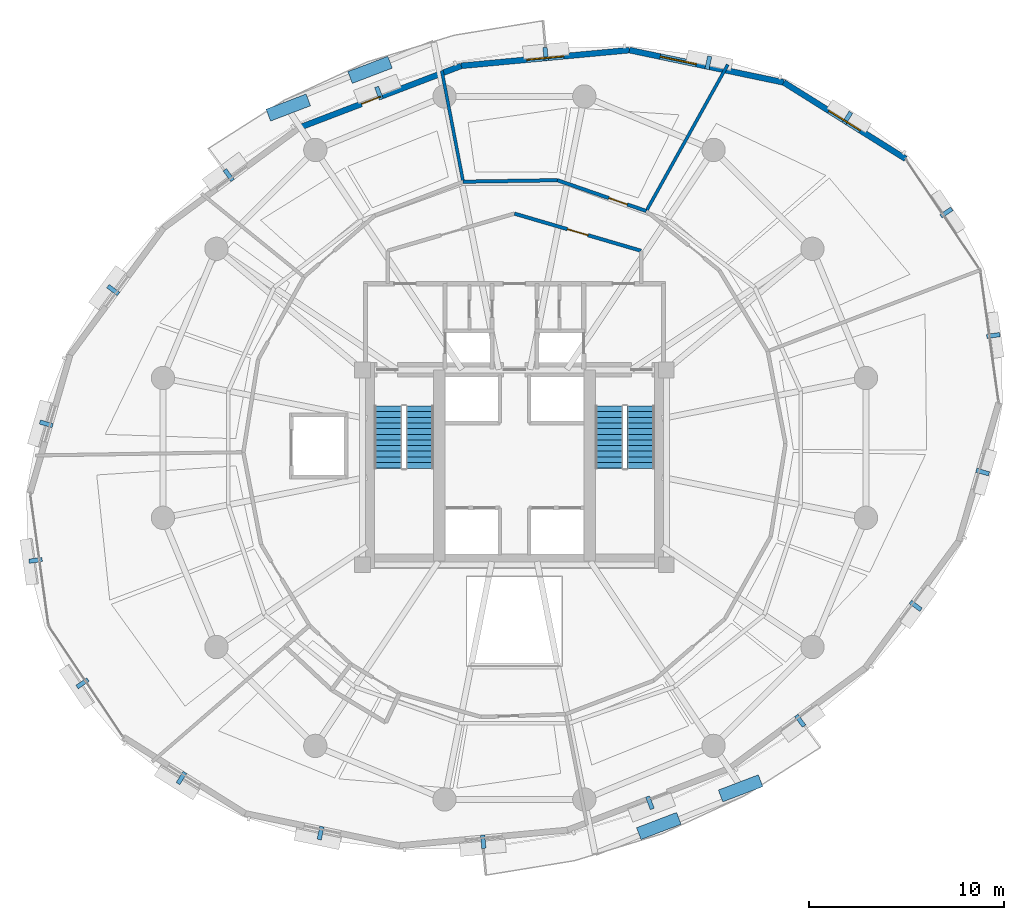
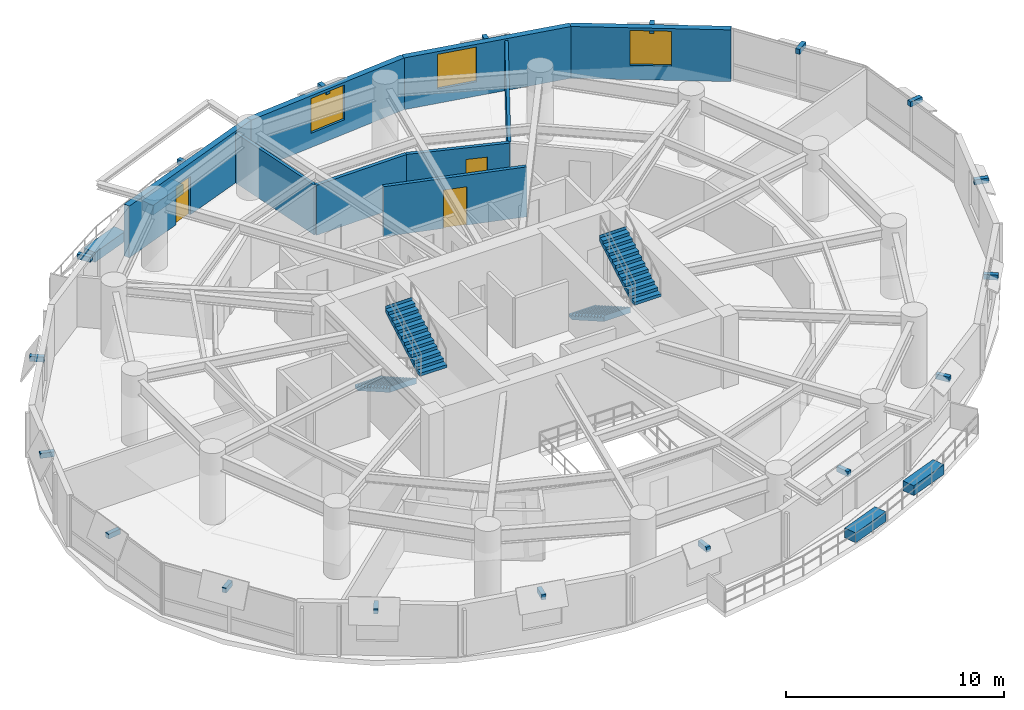
# One storey, part 12 of 15: 22 discrete accessories, 9 walls, 4 stair flights, 3 doors, 3 windows, 6 openings, 2 elements without a shape of their own.
"""IFC4 building model written with IfcOpenShell, lengths in metres."""

from ifc_helpers import new_model, si_unit, direction, frame, frame_2d, origin, origin_2d, place, context, subcontext, project, spatial, polyline, rectangle, outline, extrude, material, layer, layer_set, type_object, element, fill, aggregate, save


model = new_model("IFC4")

# Units and contexts
model_context = context("Model", 3, precision=1e-05, world=origin(), true_north=direction((0.0, 1.0)))
body_context = subcontext(model_context, "Body", "Model", "MODEL_VIEW")
ifc_project = project(units=[si_unit("LENGTHUNIT", "METRE"), si_unit("AREAUNIT", "SQUARE_METRE"), si_unit("VOLUMEUNIT", "CUBIC_METRE"), si_unit("PLANEANGLEUNIT", "RADIAN"), si_unit("MASSUNIT", "GRAM", prefix="KILO"), si_unit("THERMODYNAMICTEMPERATUREUNIT", "KELVIN"), si_unit("POWERUNIT", "WATT")], contexts=[model_context])

# Site, building, storey
site_placement = place(None, origin())
site = spatial("IfcSite", under=ifc_project, at=site_placement, CompositionType="ELEMENT")
building_placement = place(site_placement, origin())
building = spatial("IfcBuilding", under=site, at=building_placement, Name="Ocrelia Relay Tower", CompositionType="ELEMENT")
storey_placement = place(building_placement, frame((0.0, 0.0, 121.800048828125)))
storey = spatial("IfcBuildingStorey", under=building, at=storey_placement, Name="L28", CompositionType="ELEMENT", Elevation=121.800048828125)

# Wall, opening, door
ifc_material_1 = material(Name="Gypsum Fireboard Partition EI60", Category="gypsum")
ifc_layer_1 = layer(ifc_material_1, 0.179931640625, Name="Gypsum Fireboard Partition EI60")
ifc_layer_set_1 = layer_set([ifc_layer_1], Name="Gypsum Fireboard Partition EI60")
wall_type_1 = type_object("IfcWallType", Name="W-CORR-EI60-180", PredefinedType="PARTITIONING", material=ifc_layer_set_1)
wall_1_placement = place(storey_placement, frame((34.0, 38.030029296875, 0.0), z_axis=(0.0, 0.0, 1.0), x_axis=(0.959546654541, -0.281549671923, 0.0)))
wall_1 = element("IfcWall", 1, at=wall_1_placement, inside=storey, type_object=wall_type_1, Name="L28 North Smoke Lobby E Screen Wall", PredefinedType="PARTITIONING", context=body_context, shape_type="SweptSolid", body=[
    extrude(rectangle(XDim=6.77392578125, YDim=0.179931640625, at=frame_2d((3.386962890625, 0.0))), origin(), (0.0, 0.0, 1.0), 2.800048828125),
])
opening_1_placement = place(wall_1_placement, frame((2.8369140625, 0.0, 0.0)))
opening_1 = element("IfcOpeningElement", 2, at=opening_1_placement, cuts=wall_1, Name="Opening D-FD60", PredefinedType="OPENING", context=body_context, shape_type="SweptSolid", body=[
    extrude(rectangle(XDim=1.10009765625, YDim=2.14990234375, at=frame_2d((0.550048828125, 1.074951171875))), frame((0.0, 0.10009765625, 0.0), z_axis=(0.0, -1.0, 0.0), x_axis=(1.0, 0.0, 0.0)), (0.0, 0.0, 1.0), 0.199951171875),
])
ifc_material_2 = material(Name="Timber-core 60-min acoustic fire door", Category="wood")
door_type_1 = type_object("IfcDoorType", Name="DR-LOBBY-FD60-1100", OperationType="NOTDEFINED", PredefinedType="DOOR", material=ifc_material_2)
door_1_placement = place(opening_1_placement, origin())
door_1 = element("IfcDoor", 3, at=door_1_placement, inside=storey, type_object=door_type_1, Name="L28 North Smoke Lobby E Fire Door", OperationType="SINGLE_SWING_LEFT", OverallHeight=2.14990234375, OverallWidth=1.10009765625, PredefinedType="DOOR", context=body_context, shape_type="SweptSolid", body=[
    extrude(rectangle(XDim=1.10009765625, YDim=2.14990234375, at=frame_2d((0.550048828125, 1.074951171875))), frame((0.0, 0.02490234375, 0.0), z_axis=(0.0, -1.0, 0.0), x_axis=(1.0, 0.0, 0.0)), (0.0, 0.0, 1.0), 0.050048828125),
])
fill(opening_1, door_1)

wall_2_placement = place(storey_placement, frame((40.769775390625, 38.162841796875, 0.0), z_axis=(0.0, 0.0, 1.0), x_axis=(-0.944937429252, 0.32725105775, 0.0)))
wall_2 = element("IfcWall", 4, at=wall_2_placement, inside=storey, type_object=wall_type_1, Name="L28 Acoustic Media Room Corridor Partition 1", PredefinedType="PARTITIONING", context=body_context, shape_type="SweptSolid", body=[
    extrude(rectangle(XDim=4.834228515625, YDim=0.179931640625, at=frame_2d((2.4169921875, 0.0))), origin(), (0.0, 0.0, 1.0), 2.800048828125),
])
opening_2_placement = place(wall_2_placement, frame((1.03369140625, 0.0, 0.0)))
opening_2 = element("IfcOpeningElement", 5, at=opening_2_placement, cuts=wall_2, Name="Opening D-RM100", PredefinedType="OPENING", context=body_context, shape_type="SweptSolid", body=[
    extrude(rectangle(XDim=1.0, YDim=2.14990234375, at=frame_2d((0.5, 1.074951171875))), frame((0.0, 0.10009765625, 0.0), z_axis=(0.0, -1.0, 0.0), x_axis=(1.0, 0.0, 0.0)), (0.0, 0.0, 1.0), 0.199951171875),
])
ifc_material_3 = material(Name="Acoustic oak veneer fire door", Category="wood")
door_type_2 = type_object("IfcDoorType", Name="DR-ROOM-FD60-1000", OperationType="NOTDEFINED", PredefinedType="DOOR", material=ifc_material_3)
door_2_placement = place(opening_2_placement, origin())
door_2 = element("IfcDoor", 6, at=door_2_placement, inside=storey, type_object=door_type_2, Name="L28 Acoustic Media Room Entrance Door", OperationType="SINGLE_SWING_LEFT", OverallHeight=2.14990234375, OverallWidth=1.0, PredefinedType="DOOR", context=body_context, shape_type="SweptSolid", body=[
    extrude(rectangle(XDim=1.0, YDim=2.14990234375, at=frame_2d((0.5, 1.074951171875))), frame((0.0, 0.02490234375, 0.0), z_axis=(0.0, -1.0, 0.0), x_axis=(1.0, 0.0, 0.0)), (0.0, 0.0, 1.0), 0.050048828125),
])
fill(opening_2, door_2)

# Wall
wall_3_placement = place(storey_placement, frame((36.20166015625, 39.744873046875, 0.0), z_axis=(0.0, 0.0, 1.0), x_axis=(-0.999876654329, -0.015705926537, 0.0)))
element("IfcWall", 7, at=wall_3_placement, inside=storey, type_object=wall_type_1, Name="L28 Acoustic Media Room Corridor Partition 2", PredefinedType="PARTITIONING", context=body_context, shape_type="SweptSolid", body=[
    extrude(rectangle(XDim=4.834228515625, YDim=0.179931640625, at=frame_2d((2.4169921875, 0.0))), origin(), (0.0, 0.0, 1.0), 2.800048828125),
])

# Wall, opening, window
ifc_material_4 = material(Name="Precast concrete C40/50 with oxide terracotta", Category="masonry")
ifc_layer_2 = layer(ifc_material_4, 0.300048828125, Name="Precast concrete C40/50 with oxide terracotta")
ifc_layer_set_2 = layer_set([ifc_layer_2], Name="Precast concrete C40/50 with oxide terracotta")
wall_type_2 = type_object("IfcWallType", Name="W-EXT-TERR-300", PredefinedType="SOLIDWALL", material=ifc_layer_set_2)
wall_4_placement = place(storey_placement, frame((54.081787109375, 40.84423828125, 0.0), z_axis=(0.0, 0.0, 1.0), x_axis=(-0.847299081662, 0.531116057199, 0.0)))
wall_4 = element("IfcWall", 8, at=wall_4_placement, inside=storey, type_object=wall_type_2, Name="L28 Oxide Terracotta Facade Wall 02", PredefinedType="SOLIDWALL", context=body_context, shape_type="SweptSolid", body=[
    extrude(rectangle(XDim=7.38330078125, YDim=0.300048828125, at=frame_2d((3.691650390625, 0.0))), origin(), (0.0, 0.0, 1.0), 2.89990234375),
])
opening_3_placement = place(wall_4_placement, frame((2.741943359375, 0.0, 0.800048828125)))
opening_3 = element("IfcOpeningElement", 9, at=opening_3_placement, cuts=wall_4, Name="Opening W-06", PredefinedType="OPENING", context=body_context, shape_type="SweptSolid", body=[
    extrude(rectangle(XDim=1.89990234375, YDim=1.949951171875, at=frame_2d((0.949951171875, 0.97509765625))), frame((0.0, 0.16015625, 0.0), z_axis=(0.0, -1.0, 0.0), x_axis=(1.0, 0.0, 0.0)), (0.0, 0.0, 1.0), 0.320068359375),
])
ifc_material_5 = material(Name="Clear double-glazed low-E glass", Category="glass")
window_type = type_object("IfcWindowType", Name="WIN-Z2-1900x2100", PartitioningType="DOUBLE_PANEL_VERTICAL", PredefinedType="WINDOW", material=ifc_material_5)
window_1_placement = place(opening_3_placement, origin())
window_1 = element("IfcWindow", 10, at=window_1_placement, inside=storey, type_object=window_type, Name="L28 Facade Module Window 02", OverallHeight=1.949951171875, OverallWidth=1.89990234375, PartitioningType="SINGLE_PANEL", PredefinedType="WINDOW", context=body_context, shape_type="SweptSolid", body=[
    extrude(rectangle(XDim=1.89990234375, YDim=1.949951171875, at=frame_2d((0.949951171875, 0.97509765625))), frame((0.0, 0.030029296875, 0.0), z_axis=(0.0, -1.0, 0.0), x_axis=(1.0, 0.0, 0.0)), (0.0, 0.0, 1.0), 0.06005859375),
])
fill(opening_3, window_1)

wall_5_placement = place(storey_placement, frame((47.825927734375, 44.765625, 0.0), z_axis=(0.0, 0.0, 1.0), x_axis=(-0.978800890802, 0.20481410148, 0.0)))
wall_5 = element("IfcWall", 11, at=wall_5_placement, inside=storey, type_object=wall_type_2, Name="L28 Oxide Terracotta Facade Wall 03", PredefinedType="SOLIDWALL", context=body_context, shape_type="SweptSolid", body=[
    extrude(rectangle(XDim=8.094970703125, YDim=0.300048828125, at=frame_2d((4.04736328125, 0.0))), origin(), (0.0, 0.0, 1.0), 2.89990234375),
])
opening_4_placement = place(wall_5_placement, frame((4.580078125, 0.0, 0.800048828125)))
opening_4 = element("IfcOpeningElement", 12, at=opening_4_placement, cuts=wall_5, Name="Opening W-06", PredefinedType="OPENING", context=body_context, shape_type="SweptSolid", body=[
    extrude(rectangle(XDim=1.89990234375, YDim=1.949951171875, at=frame_2d((0.949951171875, 0.97509765625))), frame((0.0, 0.16015625, 0.0), z_axis=(0.0, -1.0, 0.0), x_axis=(1.0, 0.0, 0.0)), (0.0, 0.0, 1.0), 0.320068359375),
])
window_2_placement = place(opening_4_placement, origin())
window_2 = element("IfcWindow", 13, at=window_2_placement, inside=storey, type_object=window_type, Name="L28 Facade Module Window 03", OverallHeight=1.949951171875, OverallWidth=1.89990234375, PartitioningType="SINGLE_PANEL", PredefinedType="WINDOW", context=body_context, shape_type="SweptSolid", body=[
    extrude(rectangle(XDim=1.89990234375, YDim=1.949951171875, at=frame_2d((0.949951171875, 0.97509765625))), frame((0.0, 0.030029296875, 0.0), z_axis=(0.0, -1.0, 0.0), x_axis=(1.0, 0.0, 0.0)), (0.0, 0.0, 1.0), 0.06005859375),
])
fill(opening_4, window_2)

wall_6_placement = place(storey_placement, frame((39.902587890625, 46.423583984375, 0.0), z_axis=(0.0, 0.0, 1.0), x_axis=(-0.995678666902, -0.092865452549, 0.0)))
wall_6 = element("IfcWall", 14, at=wall_6_placement, inside=storey, type_object=wall_type_2, Name="L28 Oxide Terracotta Facade Wall 04", PredefinedType="SOLIDWALL", context=body_context, shape_type="SweptSolid", body=[
    extrude(rectangle(XDim=8.673095703125, YDim=0.300048828125, at=frame_2d((4.33642578125, 0.0))), origin(), (0.0, 0.0, 1.0), 2.89990234375),
])
opening_5_placement = place(wall_6_placement, frame((3.385986328125, 0.0, 0.800048828125)))
opening_5 = element("IfcOpeningElement", 15, at=opening_5_placement, cuts=wall_6, Name="Opening W-06", PredefinedType="OPENING", context=body_context, shape_type="SweptSolid", body=[
    extrude(rectangle(XDim=1.89990234375, YDim=1.949951171875, at=frame_2d((0.949951171875, 0.97509765625))), frame((0.0, 0.16015625, 0.0), z_axis=(0.0, -1.0, 0.0), x_axis=(1.0, 0.0, 0.0)), (0.0, 0.0, 1.0), 0.320068359375),
])
window_3_placement = place(opening_5_placement, origin())
window_3 = element("IfcWindow", 16, at=window_3_placement, inside=storey, type_object=window_type, Name="L28 Facade Module Window 04", OverallHeight=1.949951171875, OverallWidth=1.89990234375, PartitioningType="SINGLE_PANEL", PredefinedType="WINDOW", context=body_context, shape_type="SweptSolid", body=[
    extrude(rectangle(XDim=1.89990234375, YDim=1.949951171875, at=frame_2d((0.949951171875, 0.97509765625))), frame((0.0, 0.030029296875, 0.0), z_axis=(0.0, -1.0, 0.0), x_axis=(1.0, 0.0, 0.0)), (0.0, 0.0, 1.0), 0.06005859375),
])
fill(opening_5, window_3)

# Wall, opening, door
wall_7_placement = place(storey_placement, frame((31.26708984375, 45.6181640625, 0.0), z_axis=(0.0, 0.0, 1.0), x_axis=(-0.934198586352, -0.356753418003, 0.0)))
wall_7 = element("IfcWall", 17, at=wall_7_placement, inside=storey, type_object=wall_type_2, Name="L28 Oxide Terracotta Facade Wall 05", PredefinedType="SOLIDWALL", context=body_context, shape_type="SweptSolid", body=[
    extrude(rectangle(XDim=8.890869140625, YDim=0.300048828125, at=frame_2d((4.4453125, 0.0))), origin(), (0.0, 0.0, 1.0), 2.89990234375),
])
opening_6_placement = place(wall_7_placement, frame((4.429931640625, 0.0, 0.0)))
opening_6 = element("IfcOpeningElement", 18, at=opening_6_placement, cuts=wall_7, Name="Opening DB-105", PredefinedType="OPENING", context=body_context, shape_type="SweptSolid", body=[
    extrude(rectangle(XDim=1.050048828125, YDim=2.14990234375, at=frame_2d((0.52490234375, 1.074951171875))), frame((0.0, 0.16015625, 0.0), z_axis=(0.0, -1.0, 0.0), x_axis=(1.0, 0.0, 0.0)), (0.0, 0.0, 1.0), 0.320068359375),
])
ifc_material_6 = material(Name="Thermally broken aluminium and clear glass", Category="aluminium")
door_type_3 = type_object("IfcDoorType", Name="DR-BALC-1050", OperationType="NOTDEFINED", PredefinedType="DOOR", material=ifc_material_6)
door_3_placement = place(opening_6_placement, origin())
door_3 = element("IfcDoor", 19, at=door_3_placement, inside=storey, type_object=door_type_3, Name="L28 Planted Loggia Balcony Door B1", OperationType="SINGLE_SWING_LEFT", OverallHeight=2.14990234375, OverallWidth=1.050048828125, PredefinedType="DOOR", context=body_context, shape_type="SweptSolid", body=[
    extrude(rectangle(XDim=1.050048828125, YDim=2.14990234375, at=frame_2d((0.52490234375, 1.074951171875))), frame((0.0, 0.02490234375, 0.0), z_axis=(0.0, -1.0, 0.0), x_axis=(1.0, 0.0, 0.0)), (0.0, 0.0, 1.0), 0.050048828125),
])
fill(opening_6, door_3)

# Walls
ifc_material_7 = material(Name="Acoustic Fireboard Partition EI60", Category="gypsum")
ifc_layer_3 = layer(ifc_material_7, 0.159912109375, Name="Acoustic Fireboard Partition EI60")
ifc_layer_set_3 = layer_set([ifc_layer_3], Name="Acoustic Fireboard Partition EI60")
wall_type_3 = type_object("IfcWallType", Name="W-PART-160", PredefinedType="PARTITIONING", material=ifc_layer_set_3)
wall_8_placement = place(storey_placement, frame((40.769775390625, 38.162841796875, 0.0), z_axis=(0.0, 0.0, 1.0), x_axis=(0.486326925852, 0.873776928736, 0.0)))
element("IfcWall", 20, at=wall_8_placement, inside=storey, type_object=wall_type_3, Name="L28 Technical Reference Library Radial Partition", PredefinedType="PARTITIONING", context=body_context, shape_type="SweptSolid", body=[
    extrude(rectangle(XDim=8.60498046875, YDim=0.159912109375, at=frame_2d((4.302490234375, 0.0))), origin(), (0.0, 0.0, 1.0), 2.800048828125),
])
wall_9_placement = place(storey_placement, frame((31.367919921875, 39.6689453125, 0.0), z_axis=(0.0, 0.0, 1.0), x_axis=(-0.18909703684, 0.981958405768, 0.0)))
element("IfcWall", 21, at=wall_9_placement, inside=storey, type_object=wall_type_3, Name="L28 Acoustic Media Room Radial Partition", PredefinedType="PARTITIONING", context=body_context, shape_type="SweptSolid", body=[
    extrude(rectangle(XDim=5.803466796875, YDim=0.159912109375, at=frame_2d((2.90185546875, 0.0))), origin(), (0.0, 0.0, 1.0), 2.800048828125),
])

# Stair, stair flights
ifc_material_8 = material(Name="Concrete C50/60", Category="concrete")
stair_type = type_object("IfcStairType", Name="ST-DL-1420-R167", PredefinedType="HALF_TURN_STAIR", material=ifc_material_8)
stair_1_placement = place(storey_placement, origin())
stair_1 = element("IfcStair", 22, at=stair_1_placement, inside=storey, type_object=stair_type, Name="L28 West Core Exit Stair ST1", PredefinedType="HALF_TURN_STAIR")
stair_flight_type = type_object("IfcStairFlightType", Name="STF-DL-1420-R167", PredefinedType="STRAIGHT", material=ifc_material_8)
stair_flight_1_placement = place(storey_placement, frame((27.52001953125, 28.14990234375, 0.0), z_axis=(0.0, 0.0, 1.0), x_axis=(0.0, -1.0, 0.0)))
stair_flight_1 = element("IfcStairFlight", 23, at=stair_flight_1_placement, type_object=stair_flight_type, Name="ST1 flight 1", NumberOfRisers=12, NumberOfTreads=11, PredefinedType="STRAIGHT", RiserHeight=0.166666667, TreadLength=0.29, context=body_context, shape_type="SweptSolid", body=[
    extrude(outline(polyline([(-0.008056640625, 0.0), (-0.008056640625, 0.166748046875), (0.0, 0.166748046875), (0.2900390625, 0.166748046875), (0.2900390625, 0.333251953125), (0.580078125, 0.333251953125), (0.580078125, 0.5), (0.8701171875, 0.5), (0.8701171875, 0.666748046875), (1.159912109375, 0.666748046875), (1.159912109375, 0.833251953125), (1.449951171875, 0.833251953125), (1.449951171875, 1.0), (1.739990234375, 1.0), (1.739990234375, 1.166748046875), (2.030029296875, 1.166748046875), (2.030029296875, 1.333251953125), (2.320068359375, 1.333251953125), (2.320068359375, 1.5), (2.610107421875, 1.5), (2.610107421875, 1.666748046875), (2.89990234375, 1.666748046875), (2.89990234375, 1.833251953125), (3.18994140625, 1.833251953125), (3.18994140625, 2.0), (3.197998046875, 2.0), (3.197998046875, 1.660400390625), (0.30078125, 0.0), (-0.008056640625, 0.0)])), frame((0.0, 0.7099609375, 0.0), z_axis=(0.0, -1.0, 0.0), x_axis=(1.0, 0.0, 0.0)), (0.0, 0.0, 1.0), 1.419921875),
])
stair_flight_2_placement = place(storey_placement, frame((29.139892578125, 24.9599609375, 2.0), z_axis=(0.0, 0.0, 1.0), x_axis=(0.0, 1.0, 0.0)))
stair_flight_2 = element("IfcStairFlight", 24, at=stair_flight_2_placement, type_object=stair_flight_type, Name="ST1 flight 2", NumberOfRisers=12, NumberOfTreads=11, PredefinedType="STRAIGHT", RiserHeight=0.166666667, TreadLength=0.29, context=body_context, shape_type="SweptSolid", body=[
    extrude(outline(polyline([(-0.008056640625, 0.0), (-0.008056640625, 0.166748046875), (0.0, 0.166748046875), (0.2900390625, 0.166748046875), (0.2900390625, 0.333251953125), (0.580078125, 0.333251953125), (0.580078125, 0.5), (0.8701171875, 0.5), (0.8701171875, 0.666748046875), (1.159912109375, 0.666748046875), (1.159912109375, 0.833251953125), (1.449951171875, 0.833251953125), (1.449951171875, 1.0), (1.739990234375, 1.0), (1.739990234375, 1.166748046875), (2.030029296875, 1.166748046875), (2.030029296875, 1.333251953125), (2.320068359375, 1.333251953125), (2.320068359375, 1.5), (2.610107421875, 1.5), (2.610107421875, 1.666748046875), (2.89990234375, 1.666748046875), (2.89990234375, 1.833251953125), (3.18994140625, 1.833251953125), (3.18994140625, 2.0), (3.197998046875, 2.0), (3.197998046875, 1.660400390625), (0.30078125, 0.0), (-0.008056640625, 0.0)])), frame((0.0, 0.7099609375, 0.0), z_axis=(0.0, -1.0, 0.0), x_axis=(1.0, 0.0, 0.0)), (0.0, 0.0, 1.0), 1.419921875),
])
aggregate(stair_1, [stair_flight_1, stair_flight_2])

stair_2_placement = place(storey_placement, origin())
stair_2 = element("IfcStair", 25, at=stair_2_placement, inside=storey, type_object=stair_type, Name="L28 East Core Exit Stair ST2", PredefinedType="HALF_TURN_STAIR")
stair_flight_3_placement = place(storey_placement, frame((38.8701171875, 28.14990234375, 0.0), z_axis=(0.0, 0.0, 1.0), x_axis=(0.0, -1.0, 0.0)))
stair_flight_3 = element("IfcStairFlight", 26, at=stair_flight_3_placement, type_object=stair_flight_type, Name="ST2 flight 1", NumberOfRisers=12, NumberOfTreads=11, PredefinedType="STRAIGHT", RiserHeight=0.166666667, TreadLength=0.29, context=body_context, shape_type="SweptSolid", body=[
    extrude(outline(polyline([(-0.008056640625, 0.0), (-0.008056640625, 0.166748046875), (0.0, 0.166748046875), (0.2900390625, 0.166748046875), (0.2900390625, 0.333251953125), (0.580078125, 0.333251953125), (0.580078125, 0.5), (0.8701171875, 0.5), (0.8701171875, 0.666748046875), (1.159912109375, 0.666748046875), (1.159912109375, 0.833251953125), (1.449951171875, 0.833251953125), (1.449951171875, 1.0), (1.739990234375, 1.0), (1.739990234375, 1.166748046875), (2.030029296875, 1.166748046875), (2.030029296875, 1.333251953125), (2.320068359375, 1.333251953125), (2.320068359375, 1.5), (2.610107421875, 1.5), (2.610107421875, 1.666748046875), (2.89990234375, 1.666748046875), (2.89990234375, 1.833251953125), (3.18994140625, 1.833251953125), (3.18994140625, 2.0), (3.197998046875, 2.0), (3.197998046875, 1.660400390625), (0.30078125, 0.0), (-0.008056640625, 0.0)])), frame((0.0, 0.7099609375, 0.0), z_axis=(0.0, -1.0, 0.0), x_axis=(1.0, 0.0, 0.0)), (0.0, 0.0, 1.0), 1.419921875),
])
stair_flight_4_placement = place(storey_placement, frame((40.489990234375, 24.9599609375, 2.0), z_axis=(0.0, 0.0, 1.0), x_axis=(0.0, 1.0, 0.0)))
stair_flight_4 = element("IfcStairFlight", 27, at=stair_flight_4_placement, type_object=stair_flight_type, Name="ST2 flight 2", NumberOfRisers=12, NumberOfTreads=11, PredefinedType="STRAIGHT", RiserHeight=0.166666667, TreadLength=0.29, context=body_context, shape_type="SweptSolid", body=[
    extrude(outline(polyline([(-0.008056640625, 0.0), (-0.008056640625, 0.166748046875), (0.0, 0.166748046875), (0.2900390625, 0.166748046875), (0.2900390625, 0.333251953125), (0.580078125, 0.333251953125), (0.580078125, 0.5), (0.8701171875, 0.5), (0.8701171875, 0.666748046875), (1.159912109375, 0.666748046875), (1.159912109375, 0.833251953125), (1.449951171875, 0.833251953125), (1.449951171875, 1.0), (1.739990234375, 1.0), (1.739990234375, 1.166748046875), (2.030029296875, 1.166748046875), (2.030029296875, 1.333251953125), (2.320068359375, 1.333251953125), (2.320068359375, 1.5), (2.610107421875, 1.5), (2.610107421875, 1.666748046875), (2.89990234375, 1.666748046875), (2.89990234375, 1.833251953125), (3.18994140625, 1.833251953125), (3.18994140625, 2.0), (3.197998046875, 2.0), (3.197998046875, 1.660400390625), (0.30078125, 0.0), (-0.008056640625, 0.0)])), frame((0.0, 0.7099609375, 0.0), z_axis=(0.0, -1.0, 0.0), x_axis=(1.0, 0.0, 0.0)), (0.0, 0.0, 1.0), 1.419921875),
])
aggregate(stair_2, [stair_flight_3, stair_flight_4])

# Discrete accessories
ifc_material_9 = material(Name="Precast concrete C40/50 planter with highland greenery", Category="concrete")
discrete_accessory_type_1 = type_object("IfcDiscreteAccessoryType", Name="ACC-BALC-PLANTER", PredefinedType="USERDEFINED", material=ifc_material_9)
for number, where, z_axis, x_axis, name in (
    (28, (26.587890625, 45.410400390625, 0.0), (0.0, 0.0, 1.0), (0.934206323854, 0.356733155833, 0.0), "L28 Balcony Terracotta Planter with Greenery B1"),
    (29, (22.39013671875, 43.47607421875, 0.0), (0.0, 0.0, 1.0), (0.934206323854, 0.356733155833, 0.0), "L28 Balcony Terracotta Planter B1-2"),
    (30, (41.412109375, 6.589599609375, 0.0), (0.0, 0.0, 1.0), (-0.934206323854, -0.356733155833, 0.0), "L28 Balcony Terracotta Planter with Greenery B2"),
    (31, (45.60986328125, 8.52392578125, 0.0), (0.0, 0.0, 1.0), (-0.934206323854, -0.356733155833, 0.0), "L28 Balcony Terracotta Planter B2-2"),
):
    element("IfcDiscreteAccessory", number, at=place(storey_placement, frame(where, z_axis=z_axis, x_axis=x_axis)), inside=storey, type_object=discrete_accessory_type_1, Name=name, ObjectType="PLANTER", PredefinedType="USERDEFINED", context=body_context, shape_type="SweptSolid", body=[
        extrude(rectangle(XDim=2.199951171875, YDim=0.64990234375, at=origin_2d()), origin(), (0.0, 0.0, 1.0), 0.550048828125),
    ])
ifc_material_10 = material(Name="Steel S355", Category="steel")
discrete_accessory_type_2 = type_object("IfcDiscreteAccessoryType", Name="ACC-VISOR-BRACKET", PredefinedType="BRACKET", material=ifc_material_10)
for number, where, z_axis, x_axis, name in (
    (32, (56.17431640625, 38.083984375, 2.60009765625), (0.0, 0.0, 1.0), (-0.5572973393, 0.830312998579, 0.0), "L28 Visor Mounting Bracket 01"),
    (33, (51.095947265625, 42.94580078125, 2.60009765625), (0.0, 0.0, 1.0), (-0.84730591925, 0.531105148914, 0.0), "L28 Visor Mounting Bracket 02"),
    (34, (43.9541015625, 45.773193359375, 2.60009765625), (0.0, 0.0, 1.0), (-0.978803181401, 0.204803154465, 0.0), "L28 Visor Mounting Bracket 03"),
    (35, (35.6005859375, 46.22021484375, 2.60009765625), (0.0, 0.0, 1.0), (-0.995678781799, -0.092864220641, 0.0), "L28 Visor Mounting Bracket 04"),
    (36, (27.04296875, 44.218994140625, 2.60009765625), (0.0, 0.0, 1.0), (-0.934203597338, -0.356740295903, 0.0), "L28 Visor Mounting Bracket 05"),
    (37, (19.329345703125, 40.0068359375, 2.60009765625), (0.0, 0.0, 1.0), (-0.804153616363, -0.594421535016, 0.0), "L28 Visor Mounting Bracket 06"),
    (38, (13.39990234375, 34.105712890625, 2.60009765625), (0.0, 0.0, 1.0), (-0.593171226591, -0.805076329266, 0.0), "L28 Visor Mounting Bracket 07"),
    (39, (9.96044921875, 27.237548828125, 2.60009765625), (0.0, 0.0, 1.0), (-0.277641047017, -0.960684885387, 0.0), "L28 Visor Mounting Bracket 08"),
    (40, (9.4150390625, 20.228515625, 2.60009765625), (0.0, 0.0, 1.0), (0.137983136196, -0.990434578418, 0.0), "L28 Visor Mounting Bracket 09"),
    (41, (11.82568359375, 13.916015625, 2.60009765625), (0.0, 0.0, 1.0), (0.5572973393, -0.830312998579, 0.0), "L28 Visor Mounting Bracket 10"),
    (42, (16.904052734375, 9.05419921875, 2.60009765625), (0.0, 0.0, 1.0), (0.84730591925, -0.531105148914, 0.0), "L28 Visor Mounting Bracket 11"),
    (43, (24.0458984375, 6.226806640625, 2.60009765625), (0.0, 0.0, 1.0), (0.978803181401, -0.204803154465, 0.0), "L28 Visor Mounting Bracket 12"),
    (44, (32.3994140625, 5.77978515625, 2.60009765625), (0.0, 0.0, 1.0), (0.995678781799, 0.092864220641, 0.0), "L28 Visor Mounting Bracket 13"),
    (45, (40.95703125, 7.781005859375, 2.60009765625), (0.0, 0.0, 1.0), (0.934203597338, 0.356740295903, 0.0), "L28 Visor Mounting Bracket 14"),
    (46, (48.670654296875, 11.9931640625, 2.60009765625), (0.0, 0.0, 1.0), (0.804153616363, 0.594421535016, 0.0), "L28 Visor Mounting Bracket 15"),
    (47, (54.60009765625, 17.894287109375, 2.60009765625), (0.0, 0.0, 1.0), (0.593171226591, 0.805076329266, 0.0), "L28 Visor Mounting Bracket 16"),
    (48, (58.03955078125, 24.762451171875, 2.60009765625), (0.0, 0.0, 1.0), (0.277641047017, 0.960684885387, 0.0), "L28 Visor Mounting Bracket 17"),
    (49, (58.5849609375, 31.771484375, 2.60009765625), (0.0, 0.0, 1.0), (-0.137983136196, 0.990434578418, 0.0), "L28 Visor Mounting Bracket 18"),
):
    element("IfcDiscreteAccessory", number, at=place(storey_placement, frame(where, z_axis=z_axis, x_axis=x_axis)), inside=storey, type_object=discrete_accessory_type_2, Name=name, PredefinedType="BRACKET", context=body_context, shape_type="SweptSolid", body=[
        extrude(rectangle(XDim=0.219970703125, YDim=0.679931640625, at=origin_2d()), origin(), (0.0, 0.0, 1.0), 0.280029296875),
    ])

save(model, "model.ifc")
